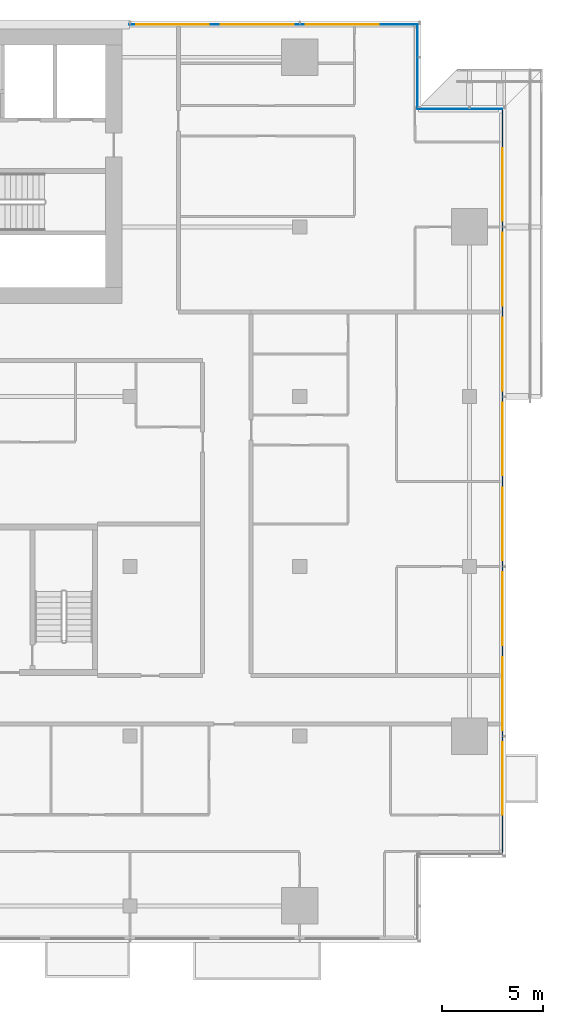
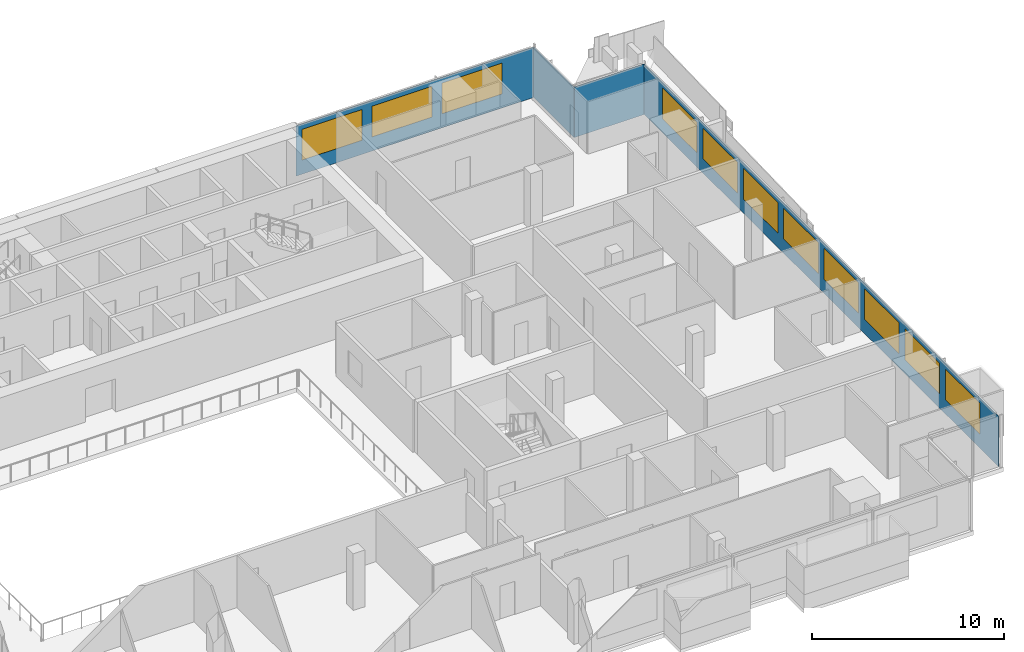
# One storey, part 17 of 30: 11 windows, 4 plates, 11 openings, 4 elements without a shape of their own.
"""IFC4 building model written with IfcOpenShell, lengths in metres."""

from ifc_helpers import new_model, si_unit, direction, frame, frame_2d, origin, place, context, subcontext, project, spatial, rectangle, extrude, material, layer, layer_set, type_object, element, fill, aggregate, save


model = new_model("IFC4")

# Units and contexts
model_context = context("Model", 3, precision=1e-05, world=origin(), true_north=direction((0.0, 1.0)))
body_context = subcontext(model_context, "Body", "Model", "MODEL_VIEW")
ifc_project = project(units=[si_unit("LENGTHUNIT", "METRE"), si_unit("AREAUNIT", "SQUARE_METRE"), si_unit("VOLUMEUNIT", "CUBIC_METRE"), si_unit("PLANEANGLEUNIT", "RADIAN"), si_unit("MASSUNIT", "GRAM", prefix="KILO")], contexts=[model_context])

# Site, building, storey
site_placement = place(None, origin())
site = spatial("IfcSite", under=ifc_project, at=site_placement, CompositionType="ELEMENT")
building_placement = place(site_placement, origin())
building = spatial("IfcBuilding", under=site, at=building_placement, Name="Saffron Gate Tower", CompositionType="ELEMENT")
storey_placement = place(building_placement, frame((0.0, 0.0, 165.449951171875)))
storey = spatial("IfcBuildingStorey", under=building, at=storey_placement, Name="L40", CompositionType="ELEMENT", Elevation=165.449951171875)

# Curtain wall, plate, openings, windows
ifc_material_1 = material(Name="Aluminium, bronze anodised", Category="aluminium")
curtain_wall_type_1 = type_object("IfcCurtainWallType", Name="CWS2 curtain wall side facades", PredefinedType="NOTDEFINED", material=ifc_material_1)
curtain_wall_1_placement = place(storey_placement, origin())
curtain_wall_1 = element("IfcCurtainWall", 1, at=curtain_wall_1_placement, inside=storey, type_object=curtain_wall_type_1, Name="CWS2 run 4", PredefinedType="NOTDEFINED")
ifc_material_2 = material(Name="Fritted bronze-tinted laminated glass", Category="glass")
ifc_layer_1 = layer(ifc_material_2, 0.028076171875)
ifc_layer_set_1 = layer_set([ifc_layer_1], Name="CWS2 fixed glass")
plate_type_1 = type_object("IfcPlateType", Name="CWS2 fixed glass", PredefinedType="CURTAIN_PANEL", material=ifc_layer_set_1)
plate_1_placement = place(storey_placement, frame((127.02587890625, 34.387939453125, 0.0), z_axis=(0.0, 0.0, 1.0), x_axis=(0.0, 1.0, 0.0)))
plate_1 = element("IfcPlate", 2, at=plate_1_placement, type_object=plate_type_1, Name="CWS2 glass panel", PredefinedType="CURTAIN_PANEL", context=body_context, shape_type="SweptSolid", body=[
    extrude(rectangle(XDim=36.823974609375, YDim=0.028076171875, at=frame_2d((18.412109375, 0.0))), origin(), (0.0, 0.0, 1.0), 3.199951171875),
])
opening_1_placement = place(plate_1_placement, frame((1.912109375, 0.0, 0.89990234375)))
opening_1 = element("IfcOpeningElement", 3, at=opening_1_placement, cuts=plate_1, Name="Opening W1", PredefinedType="OPENING", context=body_context, shape_type="SweptSolid", body=[
    extrude(rectangle(XDim=3.60009765625, YDim=1.949951171875, at=frame_2d((1.800048828125, 0.97509765625))), frame((0.0, 0.02392578125, 0.0), z_axis=(0.0, -1.0, 0.0), x_axis=(1.0, 0.0, 0.0)), (0.0, 0.0, 1.0), 0.048095703125),
])
opening_2_placement = place(plate_1_placement, frame((6.112060546875, 0.0, 0.89990234375)))
opening_2 = element("IfcOpeningElement", 4, at=opening_2_placement, cuts=plate_1, Name="Opening W1", PredefinedType="OPENING", context=body_context, shape_type="SweptSolid", body=[
    extrude(rectangle(XDim=3.60009765625, YDim=1.949951171875, at=frame_2d((1.800048828125, 0.97509765625))), frame((0.0, 0.02392578125, 0.0), z_axis=(0.0, -1.0, 0.0), x_axis=(1.0, 0.0, 0.0)), (0.0, 0.0, 1.0), 0.048095703125),
])
opening_3_placement = place(plate_1_placement, frame((10.31201171875, 0.0, 0.89990234375)))
opening_3 = element("IfcOpeningElement", 5, at=opening_3_placement, cuts=plate_1, Name="Opening W1", PredefinedType="OPENING", context=body_context, shape_type="SweptSolid", body=[
    extrude(rectangle(XDim=3.60009765625, YDim=1.949951171875, at=frame_2d((1.800048828125, 0.97509765625))), frame((0.0, 0.02392578125, 0.0), z_axis=(0.0, -1.0, 0.0), x_axis=(1.0, 0.0, 0.0)), (0.0, 0.0, 1.0), 0.048095703125),
])
opening_4_placement = place(plate_1_placement, frame((14.511962890625, 0.0, 0.89990234375)))
opening_4 = element("IfcOpeningElement", 6, at=opening_4_placement, cuts=plate_1, Name="Opening W1", PredefinedType="OPENING", context=body_context, shape_type="SweptSolid", body=[
    extrude(rectangle(XDim=3.60009765625, YDim=1.949951171875, at=frame_2d((1.800048828125, 0.97509765625))), frame((0.0, 0.02392578125, 0.0), z_axis=(0.0, -1.0, 0.0), x_axis=(1.0, 0.0, 0.0)), (0.0, 0.0, 1.0), 0.048095703125),
])
opening_5_placement = place(plate_1_placement, frame((18.7119140625, 0.0, 0.89990234375)))
opening_5 = element("IfcOpeningElement", 7, at=opening_5_placement, cuts=plate_1, Name="Opening W1", PredefinedType="OPENING", context=body_context, shape_type="SweptSolid", body=[
    extrude(rectangle(XDim=3.60009765625, YDim=1.949951171875, at=frame_2d((1.800048828125, 0.97509765625))), frame((0.0, 0.02392578125, 0.0), z_axis=(0.0, -1.0, 0.0), x_axis=(1.0, 0.0, 0.0)), (0.0, 0.0, 1.0), 0.048095703125),
])
opening_6_placement = place(plate_1_placement, frame((22.912109375, 0.0, 0.89990234375)))
opening_6 = element("IfcOpeningElement", 8, at=opening_6_placement, cuts=plate_1, Name="Opening W1", PredefinedType="OPENING", context=body_context, shape_type="SweptSolid", body=[
    extrude(rectangle(XDim=3.60009765625, YDim=1.949951171875, at=frame_2d((1.800048828125, 0.97509765625))), frame((0.0, 0.02392578125, 0.0), z_axis=(0.0, -1.0, 0.0), x_axis=(1.0, 0.0, 0.0)), (0.0, 0.0, 1.0), 0.048095703125),
])
opening_7_placement = place(plate_1_placement, frame((27.112060546875, 0.0, 0.89990234375)))
opening_7 = element("IfcOpeningElement", 9, at=opening_7_placement, cuts=plate_1, Name="Opening W1", PredefinedType="OPENING", context=body_context, shape_type="SweptSolid", body=[
    extrude(rectangle(XDim=3.60009765625, YDim=1.949951171875, at=frame_2d((1.800048828125, 0.97509765625))), frame((0.0, 0.02392578125, 0.0), z_axis=(0.0, -1.0, 0.0), x_axis=(1.0, 0.0, 0.0)), (0.0, 0.0, 1.0), 0.048095703125),
])
opening_8_placement = place(plate_1_placement, frame((31.31201171875, 0.0, 0.89990234375)))
opening_8 = element("IfcOpeningElement", 10, at=opening_8_placement, cuts=plate_1, Name="Opening W1", PredefinedType="OPENING", context=body_context, shape_type="SweptSolid", body=[
    extrude(rectangle(XDim=3.60009765625, YDim=1.949951171875, at=frame_2d((1.800048828125, 0.97509765625))), frame((0.0, 0.02392578125, 0.0), z_axis=(0.0, -1.0, 0.0), x_axis=(1.0, 0.0, 0.0)), (0.0, 0.0, 1.0), 0.048095703125),
])
ifc_material_3 = material(Name="Fritted bronze-tinted laminated glass in bronze frame", Category="glass")
ifc_layer_2 = layer(ifc_material_3, 0.06005859375)
ifc_layer_set_2 = layer_set([ifc_layer_2], Name="W1 operable panel 3600x1950")
window_type = type_object("IfcWindowType", Name="W1 operable panel 3600x1950", PartitioningType="DOUBLE_PANEL_HORIZONTAL", PredefinedType="WINDOW", material=ifc_layer_set_2)
window_1_placement = place(opening_1_placement, origin())
window_1 = element("IfcWindow", 11, at=window_1_placement, type_object=window_type, Name="W1 operable panel", OverallHeight=1.949951171875, OverallWidth=3.60009765625, PartitioningType="SINGLE_PANEL", PredefinedType="WINDOW", context=body_context, shape_type="SweptSolid", body=[
    extrude(rectangle(XDim=3.60009765625, YDim=1.949951171875, at=frame_2d((1.800048828125, 0.97509765625))), frame((0.0, 0.013671875, 0.0), z_axis=(0.0, -1.0, 0.0), x_axis=(1.0, 0.0, 0.0)), (0.0, 0.0, 1.0), 0.027587890625),
])
fill(opening_1, window_1)
window_2_placement = place(opening_2_placement, origin())
window_2 = element("IfcWindow", 12, at=window_2_placement, type_object=window_type, Name="W1 operable panel", OverallHeight=1.949951171875, OverallWidth=3.60009765625, PartitioningType="SINGLE_PANEL", PredefinedType="WINDOW", context=body_context, shape_type="SweptSolid", body=[
    extrude(rectangle(XDim=3.60009765625, YDim=1.949951171875, at=frame_2d((1.800048828125, 0.97509765625))), frame((0.0, 0.013671875, 0.0), z_axis=(0.0, -1.0, 0.0), x_axis=(1.0, 0.0, 0.0)), (0.0, 0.0, 1.0), 0.027587890625),
])
fill(opening_2, window_2)
window_3_placement = place(opening_3_placement, origin())
window_3 = element("IfcWindow", 13, at=window_3_placement, type_object=window_type, Name="W1 operable panel", OverallHeight=1.949951171875, OverallWidth=3.60009765625, PartitioningType="SINGLE_PANEL", PredefinedType="WINDOW", context=body_context, shape_type="SweptSolid", body=[
    extrude(rectangle(XDim=3.60009765625, YDim=1.949951171875, at=frame_2d((1.800048828125, 0.97509765625))), frame((0.0, 0.013671875, 0.0), z_axis=(0.0, -1.0, 0.0), x_axis=(1.0, 0.0, 0.0)), (0.0, 0.0, 1.0), 0.027587890625),
])
fill(opening_3, window_3)
window_4_placement = place(opening_4_placement, origin())
window_4 = element("IfcWindow", 14, at=window_4_placement, type_object=window_type, Name="W1 operable panel", OverallHeight=1.949951171875, OverallWidth=3.60009765625, PartitioningType="SINGLE_PANEL", PredefinedType="WINDOW", context=body_context, shape_type="SweptSolid", body=[
    extrude(rectangle(XDim=3.60009765625, YDim=1.949951171875, at=frame_2d((1.800048828125, 0.97509765625))), frame((0.0, 0.013671875, 0.0), z_axis=(0.0, -1.0, 0.0), x_axis=(1.0, 0.0, 0.0)), (0.0, 0.0, 1.0), 0.027587890625),
])
fill(opening_4, window_4)
window_5_placement = place(opening_5_placement, origin())
window_5 = element("IfcWindow", 15, at=window_5_placement, type_object=window_type, Name="W1 operable panel", OverallHeight=1.949951171875, OverallWidth=3.60009765625, PartitioningType="SINGLE_PANEL", PredefinedType="WINDOW", context=body_context, shape_type="SweptSolid", body=[
    extrude(rectangle(XDim=3.60009765625, YDim=1.949951171875, at=frame_2d((1.800048828125, 0.97509765625))), frame((0.0, 0.013671875, 0.0), z_axis=(0.0, -1.0, 0.0), x_axis=(1.0, 0.0, 0.0)), (0.0, 0.0, 1.0), 0.027587890625),
])
fill(opening_5, window_5)
window_6_placement = place(opening_6_placement, origin())
window_6 = element("IfcWindow", 16, at=window_6_placement, type_object=window_type, Name="W1 operable panel", OverallHeight=1.949951171875, OverallWidth=3.60009765625, PartitioningType="SINGLE_PANEL", PredefinedType="WINDOW", context=body_context, shape_type="SweptSolid", body=[
    extrude(rectangle(XDim=3.60009765625, YDim=1.949951171875, at=frame_2d((1.800048828125, 0.97509765625))), frame((0.0, 0.013671875, 0.0), z_axis=(0.0, -1.0, 0.0), x_axis=(1.0, 0.0, 0.0)), (0.0, 0.0, 1.0), 0.027587890625),
])
fill(opening_6, window_6)
window_7_placement = place(opening_7_placement, origin())
window_7 = element("IfcWindow", 17, at=window_7_placement, type_object=window_type, Name="W1 operable panel", OverallHeight=1.949951171875, OverallWidth=3.60009765625, PartitioningType="SINGLE_PANEL", PredefinedType="WINDOW", context=body_context, shape_type="SweptSolid", body=[
    extrude(rectangle(XDim=3.60009765625, YDim=1.949951171875, at=frame_2d((1.800048828125, 0.97509765625))), frame((0.0, 0.013671875, 0.0), z_axis=(0.0, -1.0, 0.0), x_axis=(1.0, 0.0, 0.0)), (0.0, 0.0, 1.0), 0.027587890625),
])
fill(opening_7, window_7)
window_8_placement = place(opening_8_placement, origin())
window_8 = element("IfcWindow", 18, at=window_8_placement, type_object=window_type, Name="W1 operable panel", OverallHeight=1.949951171875, OverallWidth=3.60009765625, PartitioningType="SINGLE_PANEL", PredefinedType="WINDOW", context=body_context, shape_type="SweptSolid", body=[
    extrude(rectangle(XDim=3.60009765625, YDim=1.949951171875, at=frame_2d((1.800048828125, 0.97509765625))), frame((0.0, 0.013671875, 0.0), z_axis=(0.0, -1.0, 0.0), x_axis=(1.0, 0.0, 0.0)), (0.0, 0.0, 1.0), 0.027587890625),
])
fill(opening_8, window_8)
aggregate(curtain_wall_1, [plate_1, window_1, window_2, window_3, window_4, window_5, window_6, window_7, window_8])

curtain_wall_type_2 = type_object("IfcCurtainWallType", Name="CWS3 curtain wall rear facade", PredefinedType="NOTDEFINED", material=ifc_material_1)
curtain_wall_2_placement = place(storey_placement, origin())
curtain_wall_2 = element("IfcCurtainWall", 19, at=curtain_wall_2_placement, inside=storey, type_object=curtain_wall_type_2, Name="CWS3 run 7", PredefinedType="NOTDEFINED")
ifc_material_4 = material(Name="Fritted grey-tinted laminated glass", Category="glass")
ifc_layer_3 = layer(ifc_material_4, 0.028076171875)
ifc_layer_set_3 = layer_set([ifc_layer_3], Name="CWS3 fixed glass")
plate_type_2 = type_object("IfcPlateType", Name="CWS3 fixed glass", PredefinedType="CURTAIN_PANEL", material=ifc_layer_set_3)
plate_2_placement = place(storey_placement, frame((122.81201171875, 75.426025390625, 0.0), z_axis=(0.0, 0.0, 1.0), x_axis=(-1.0, 0.0, 0.0)))
plate_2 = element("IfcPlate", 20, at=plate_2_placement, type_object=plate_type_2, Name="CWS3 glass panel", PredefinedType="CURTAIN_PANEL", context=body_context, shape_type="SweptSolid", body=[
    extrude(rectangle(XDim=14.2470703125, YDim=0.028076171875, at=frame_2d((7.12353515625, 0.0))), origin(), (0.0, 0.0, 1.0), 3.199951171875),
])
opening_9_placement = place(plate_2_placement, frame((1.912109375, 0.0, 0.89990234375)))
opening_9 = element("IfcOpeningElement", 21, at=opening_9_placement, cuts=plate_2, Name="Opening W1", PredefinedType="OPENING", context=body_context, shape_type="SweptSolid", body=[
    extrude(rectangle(XDim=3.60009765625, YDim=1.949951171875, at=frame_2d((1.800048828125, 0.97509765625))), frame((0.0, 0.02392578125, 0.0), z_axis=(0.0, -1.0, 0.0), x_axis=(1.0, 0.0, 0.0)), (0.0, 0.0, 1.0), 0.048095703125),
])
opening_10_placement = place(plate_2_placement, frame((6.112060546875, 0.0, 0.89990234375)))
opening_10 = element("IfcOpeningElement", 22, at=opening_10_placement, cuts=plate_2, Name="Opening W1", PredefinedType="OPENING", context=body_context, shape_type="SweptSolid", body=[
    extrude(rectangle(XDim=3.60009765625, YDim=1.949951171875, at=frame_2d((1.800048828125, 0.97509765625))), frame((0.0, 0.02392578125, 0.0), z_axis=(0.0, -1.0, 0.0), x_axis=(1.0, 0.0, 0.0)), (0.0, 0.0, 1.0), 0.048095703125),
])
opening_11_placement = place(plate_2_placement, frame((10.31201171875, 0.0, 0.89990234375)))
opening_11 = element("IfcOpeningElement", 23, at=opening_11_placement, cuts=plate_2, Name="Opening W1", PredefinedType="OPENING", context=body_context, shape_type="SweptSolid", body=[
    extrude(rectangle(XDim=3.60009765625, YDim=1.949951171875, at=frame_2d((1.800048828125, 0.97509765625))), frame((0.0, 0.02392578125, 0.0), z_axis=(0.0, -1.0, 0.0), x_axis=(1.0, 0.0, 0.0)), (0.0, 0.0, 1.0), 0.048095703125),
])
window_9_placement = place(opening_9_placement, origin())
window_9 = element("IfcWindow", 24, at=window_9_placement, type_object=window_type, Name="W1 operable panel", OverallHeight=1.949951171875, OverallWidth=3.60009765625, PartitioningType="SINGLE_PANEL", PredefinedType="WINDOW", context=body_context, shape_type="SweptSolid", body=[
    extrude(rectangle(XDim=3.60009765625, YDim=1.949951171875, at=frame_2d((1.800048828125, 0.97509765625))), frame((0.0, 0.013671875, 0.0), z_axis=(0.0, -1.0, 0.0), x_axis=(1.0, 0.0, 0.0)), (0.0, 0.0, 1.0), 0.027587890625),
])
fill(opening_9, window_9)
window_10_placement = place(opening_10_placement, origin())
window_10 = element("IfcWindow", 25, at=window_10_placement, type_object=window_type, Name="W1 operable panel", OverallHeight=1.949951171875, OverallWidth=3.60009765625, PartitioningType="SINGLE_PANEL", PredefinedType="WINDOW", context=body_context, shape_type="SweptSolid", body=[
    extrude(rectangle(XDim=3.60009765625, YDim=1.949951171875, at=frame_2d((1.800048828125, 0.97509765625))), frame((0.0, 0.013671875, 0.0), z_axis=(0.0, -1.0, 0.0), x_axis=(1.0, 0.0, 0.0)), (0.0, 0.0, 1.0), 0.027587890625),
])
fill(opening_10, window_10)
window_11_placement = place(opening_11_placement, origin())
window_11 = element("IfcWindow", 26, at=window_11_placement, type_object=window_type, Name="W1 operable panel", OverallHeight=1.949951171875, OverallWidth=3.60009765625, PartitioningType="SINGLE_PANEL", PredefinedType="WINDOW", context=body_context, shape_type="SweptSolid", body=[
    extrude(rectangle(XDim=3.60009765625, YDim=1.949951171875, at=frame_2d((1.800048828125, 0.97509765625))), frame((0.0, 0.013671875, 0.0), z_axis=(0.0, -1.0, 0.0), x_axis=(1.0, 0.0, 0.0)), (0.0, 0.0, 1.0), 0.027587890625),
])
fill(opening_11, window_11)
aggregate(curtain_wall_2, [plate_2, window_9, window_10, window_11])

# Curtain wall, plate
curtain_wall_type_3 = type_object("IfcCurtainWallType", Name="CWS4 curtain wall corner returns", PredefinedType="NOTDEFINED", material=ifc_material_1)
curtain_wall_3_placement = place(storey_placement, origin())
curtain_wall_3 = element("IfcCurtainWall", 27, at=curtain_wall_3_placement, inside=storey, type_object=curtain_wall_type_3, Name="CWS4 run 5", PredefinedType="NOTDEFINED")
ifc_layer_4 = layer(ifc_material_2, 0.028076171875)
ifc_layer_set_4 = layer_set([ifc_layer_4], Name="CWS4 fixed glass")
plate_type_3 = type_object("IfcPlateType", Name="CWS4 fixed glass", PredefinedType="CURTAIN_PANEL", material=ifc_layer_set_4)
plate_3_placement = place(storey_placement, frame((127.011962890625, 71.22607421875, 0.0), z_axis=(0.0, 0.0, 1.0), x_axis=(-1.0, 0.0, 0.0)))
plate_3 = element("IfcPlate", 28, at=plate_3_placement, type_object=plate_type_3, Name="CWS4 glass panel", PredefinedType="CURTAIN_PANEL", context=body_context, shape_type="SweptSolid", body=[
    extrude(rectangle(XDim=4.171875, YDim=0.028076171875, at=frame_2d((2.0859375, 0.0))), origin(), (0.0, 0.0, 1.0), 3.199951171875),
])
aggregate(curtain_wall_3, [plate_3])

curtain_wall_4_placement = place(storey_placement, origin())
curtain_wall_4 = element("IfcCurtainWall", 29, at=curtain_wall_4_placement, inside=storey, type_object=curtain_wall_type_3, Name="CWS4 run 6", PredefinedType="NOTDEFINED")
plate_4_placement = place(storey_placement, frame((122.825927734375, 71.239990234375, 0.0), z_axis=(0.0, 0.0, 1.0), x_axis=(0.0, 1.0, 0.0)))
plate_4 = element("IfcPlate", 30, at=plate_4_placement, type_object=plate_type_3, Name="CWS4 glass panel", PredefinedType="CURTAIN_PANEL", context=body_context, shape_type="SweptSolid", body=[
    extrude(rectangle(XDim=4.172119140625, YDim=0.028076171875, at=frame_2d((2.0859375, 0.0))), origin(), (0.0, 0.0, 1.0), 3.199951171875),
])
aggregate(curtain_wall_4, [plate_4])

save(model, "model.ifc")
